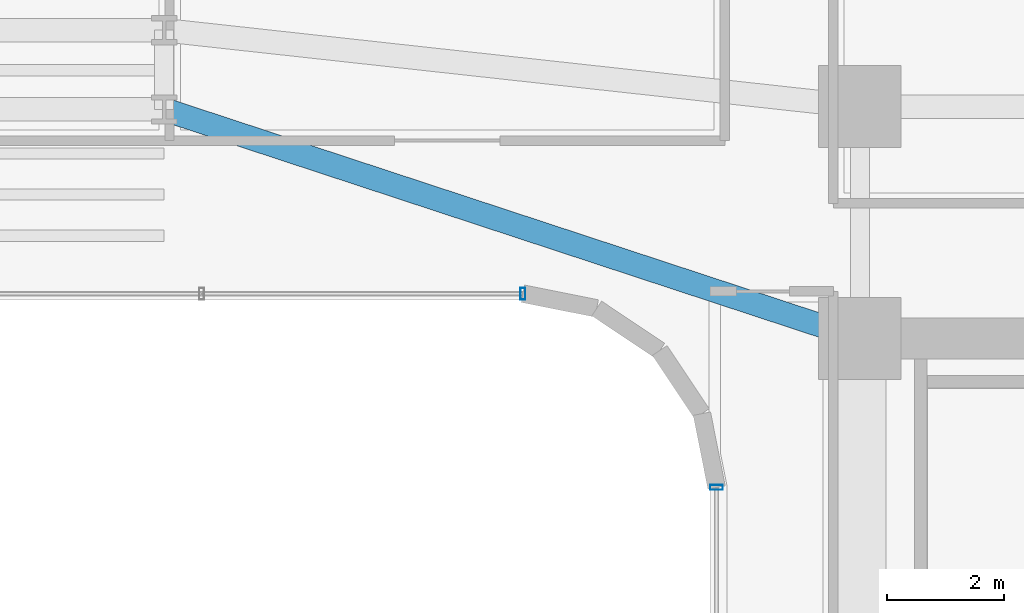
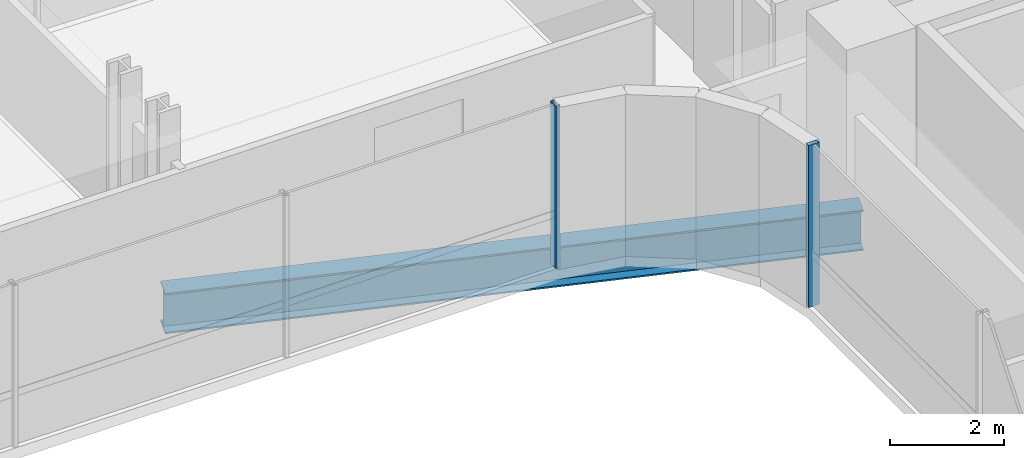
# One storey, part 17 of 40: 2 members, 1 beam, 2 elements without a shape of their own.
"""IFC4 building model written with IfcOpenShell, lengths in metres."""

from ifc_helpers import new_model, si_unit, direction, frame, origin, origin_2d, place, context, subcontext, project, spatial, hollow_rectangle, i_section, extrude, source, transform, mapped, material, material_profile, profile_set, type_object, element, aggregate, save


model = new_model("IFC4")

# Units and contexts
model_context = context("Model", 3, precision=1e-05, world=origin(), true_north=direction((0.0, 1.0)))
body_context = subcontext(model_context, "Body", "Model", "MODEL_VIEW")
ifc_project = project(units=[si_unit("LENGTHUNIT", "METRE"), si_unit("AREAUNIT", "SQUARE_METRE"), si_unit("VOLUMEUNIT", "CUBIC_METRE"), si_unit("PLANEANGLEUNIT", "RADIAN"), si_unit("MASSUNIT", "GRAM", prefix="KILO")], contexts=[model_context])

# Site, building, storey
site_placement = place(None, origin())
site = spatial("IfcSite", under=ifc_project, at=site_placement, CompositionType="ELEMENT")
building_placement = place(site_placement, origin())
building = spatial("IfcBuilding", under=site, at=building_placement, Name="Valdorenza Pilgrim Sanctuary Tower", CompositionType="ELEMENT")
storey_placement = place(building_placement, frame((0.0, 0.0, 81.5)))
storey = spatial("IfcBuildingStorey", under=building, at=storey_placement, Name="L20", CompositionType="ELEMENT", Elevation=81.5)

# Beam
ifc_material_1 = material(Name="Steel ASTM A992 Grade 50", Category="steel")
ifc_material_profile_1 = material_profile(ifc_material_1, i_section(OverallWidth=0.39990234375, OverallDepth=0.862060546875, WebThickness=0.019775390625, FlangeThickness=0.032470703125, at=origin_2d()), Name="W33X221")
ifc_profile_set_1 = profile_set([ifc_material_profile_1], Name="Steel ASTM A992 Grade 50")
beam_type = type_object("IfcBeamType", Name="STR-BM-GRD-W33", PredefinedType="BEAM", material=ifc_profile_set_1)
shared_shape_1 = source(origin(), body_context, "Body", "SweptSolid", [
    extrude(i_section(OverallWidth=0.39990234375, OverallDepth=0.862060546875, WebThickness=0.019775390625, FlangeThickness=0.032470703125, at=origin_2d()), origin(), (0.0, 0.0, 1.0), 12.475341796875),
])
beam_placement = place(storey_placement, frame((4.0, 13.449951171875, -0.6708984375), z_axis=(0.949881908141, -0.312608957943, 0.0), x_axis=(0.312608957943, 0.949881908141, 0.0)))
element("IfcBeam", 1, at=beam_placement, inside=storey, type_object=beam_type, Name="L20 Floor Girder KNK-G3", PredefinedType="BEAM", context=body_context, shape_type="MappedRepresentation", body=[
    mapped(shared_shape_1, transform((0.0, 0.0, 0.0), x_axis=(1.0, 0.0, 0.0), y_axis=(0.0, 1.0, 0.0), z_axis=(0.0, 0.0, 1.0), scale=1.0)),
])

# Curtain wall, member
ifc_material_2 = material(Name="Curtain-wall IGU glazing", Category="glass")
curtain_wall_type_1 = type_object("IfcCurtainWallType", Name="CW-SYS-02", PredefinedType="NOTDEFINED", material=ifc_material_2)
curtain_wall_1_placement = place(storey_placement, origin())
curtain_wall_1 = element("IfcCurtainWall", 2, at=curtain_wall_1_placement, inside=storey, type_object=curtain_wall_type_1, Name="L20 Curtain Wall CW-L20-1-36", PredefinedType="NOTDEFINED")
ifc_material_3 = material(Name="Anodised aluminium AW-6060", Category="aluminium")
ifc_material_profile_2 = material_profile(ifc_material_3, hollow_rectangle(XDim=0.0849609375, YDim=0.199951171875, WallThickness=0.0048828125, at=origin_2d()), Name="ALU-M 200x85x5")
ifc_profile_set_2 = profile_set([ifc_material_profile_2], Name="Anodised aluminium AW-6060")
member_type_1 = type_object("IfcMemberType", Name="CW-MUL-02", PredefinedType="MULLION", material=ifc_profile_set_2)
shared_shape_2 = source(origin(), body_context, "Body", "SweptSolid", [
    extrude(hollow_rectangle(XDim=0.0849609375, YDim=0.199951171875, WallThickness=0.0048828125, at=origin_2d()), origin(), (0.0, 0.0, 1.0), 3.4599609375),
])
member_1_placement = place(storey_placement, frame((10.11083984375, 10.31005859375, 0.0), z_axis=(0.0, 0.0, 1.0), x_axis=(-1.0, 0.0, 0.0)))
member_1 = element("IfcMember", 3, at=member_1_placement, type_object=member_type_1, Name="CW-L20-1-36 Mullion 1", PredefinedType="MULLION", context=body_context, shape_type="MappedRepresentation", body=[
    mapped(shared_shape_2, transform((0.0, 0.0, 0.0), x_axis=(1.0, 0.0, 0.0), y_axis=(0.0, 1.0, 0.0), z_axis=(0.0, 0.0, 1.0), scale=1.0)),
])
aggregate(curtain_wall_1, [member_1])

curtain_wall_type_2 = type_object("IfcCurtainWallType", Name="CW-SYS-03", PredefinedType="NOTDEFINED", material=ifc_material_2)
curtain_wall_2_placement = place(storey_placement, origin())
curtain_wall_2 = element("IfcCurtainWall", 4, at=curtain_wall_2_placement, inside=storey, type_object=curtain_wall_type_2, Name="L20 Curtain Wall CW-L20-1-31", PredefinedType="NOTDEFINED")
ifc_material_profile_3 = material_profile(ifc_material_3, hollow_rectangle(XDim=0.0849609375, YDim=0.219970703125, WallThickness=0.0048828125, at=origin_2d()), Name="ALU-M 220x85x5")
ifc_profile_set_3 = profile_set([ifc_material_profile_3], Name="Anodised aluminium AW-6060")
member_type_2 = type_object("IfcMemberType", Name="CW-MUL-03", PredefinedType="MULLION", material=ifc_profile_set_3)
shared_shape_3 = source(origin(), body_context, "Body", "SweptSolid", [
    extrude(hollow_rectangle(XDim=0.0849609375, YDim=0.219970703125, WallThickness=0.0048828125, at=origin_2d()), origin(), (0.0, 0.0, 1.0), 3.4599609375),
])
member_2_placement = place(storey_placement, frame((13.409912109375, 7.0107421875, 0.0), z_axis=(0.0, 0.0, 1.0), x_axis=(0.0, 1.0, 0.0)))
member_2 = element("IfcMember", 5, at=member_2_placement, type_object=member_type_2, Name="CW-L20-1-31 Mullion 4", PredefinedType="MULLION", context=body_context, shape_type="MappedRepresentation", body=[
    mapped(shared_shape_3, transform((0.0, 0.0, 0.0), x_axis=(1.0, 0.0, 0.0), y_axis=(0.0, 1.0, 0.0), z_axis=(0.0, 0.0, 1.0), scale=1.0)),
])
aggregate(curtain_wall_2, [member_2])

save(model, "model.ifc")
